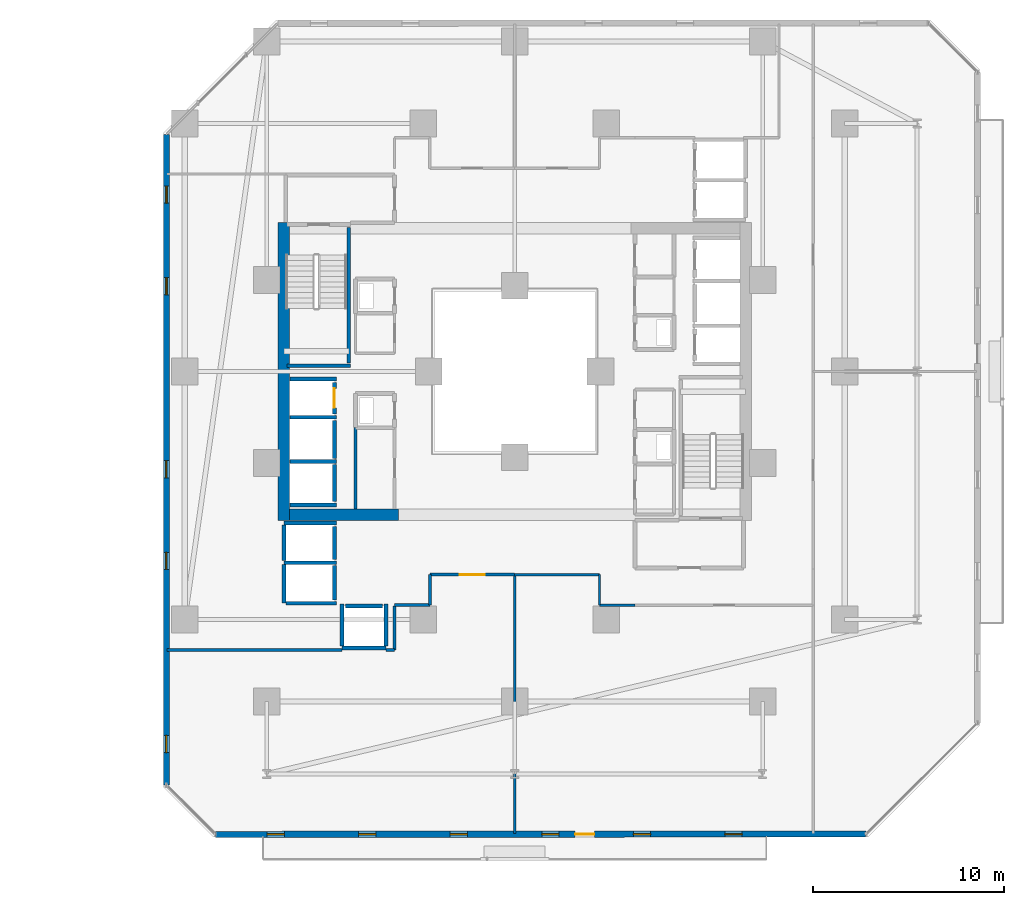
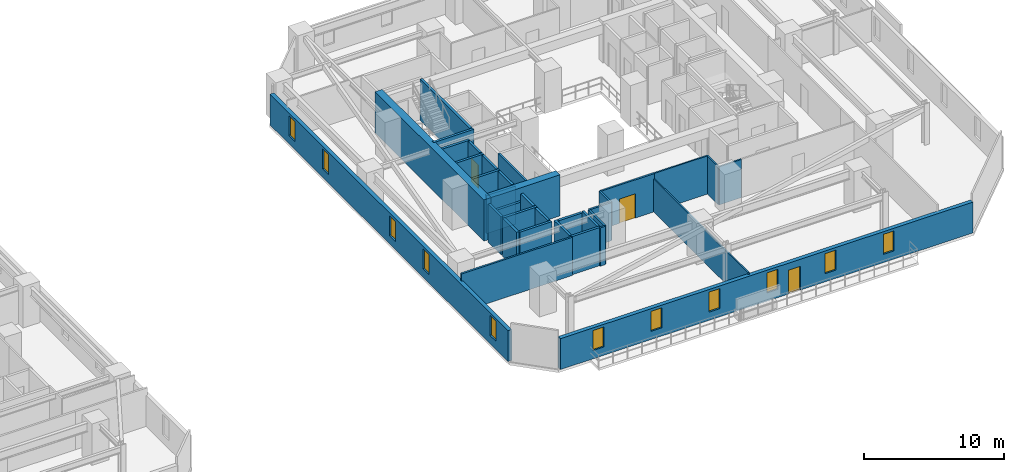
# One storey, part 22 of 33: 35 walls, 11 windows, 3 doors, 14 openings.
"""IFC4 building model written with IfcOpenShell, lengths in metres."""

from ifc_helpers import new_model, si_unit, direction, frame, frame_2d, origin, place, context, subcontext, project, spatial, rectangle, extrude, material, layer, layer_set, type_object, element, fill, save


model = new_model("IFC4")

# Units and contexts
model_context = context("Model", 3, precision=1e-05, world=origin(), true_north=direction((0.0, 1.0)))
body_context = subcontext(model_context, "Body", "Model", "MODEL_VIEW")
ifc_project = project(units=[si_unit("LENGTHUNIT", "METRE"), si_unit("AREAUNIT", "SQUARE_METRE"), si_unit("VOLUMEUNIT", "CUBIC_METRE"), si_unit("PLANEANGLEUNIT", "RADIAN"), si_unit("MASSUNIT", "GRAM", prefix="KILO")], contexts=[model_context])

# Site, building, storey
site_placement = place(None, origin())
site = spatial("IfcSite", under=ifc_project, at=site_placement, CompositionType="ELEMENT")
building_placement = place(site_placement, origin())
building = spatial("IfcBuilding", under=site, at=building_placement, Name="Thornwick Lancets Civic Towers", CompositionType="ELEMENT")
storey_placement = place(building_placement, frame((0.0, 0.0, 31.5)))
storey = spatial("IfcBuildingStorey", under=building, at=storey_placement, Name="L07", CompositionType="ELEMENT", Elevation=31.5)

# Wall, opening, door
ifc_material_1 = material(Name="Concrete blockwork C40/50", Category="masonry")
ifc_layer_1 = layer(ifc_material_1, 0.199951171875, Name="Concrete blockwork C40/50")
ifc_layer_set_1 = layer_set([ifc_layer_1], Name="Concrete blockwork C40/50")
wall_type_1 = type_object("IfcWallType", Name="WALL_COMP_200", PredefinedType="STANDARD", material=ifc_layer_set_1)
wall_1_placement = place(storey_placement, frame((79.050048828125, 24.780029296875, 0.0), z_axis=(0.0, 0.0, 1.0), x_axis=(0.0, 1.0, 0.0)))
wall_1 = element("IfcWall", 1, at=wall_1_placement, inside=storey, type_object=wall_type_1, Name="L07 Hoistway Front Wall FL-B2", PredefinedType="STANDARD", context=body_context, shape_type="SweptSolid", body=[
    extrude(rectangle(XDim=1.639892578125, YDim=0.199951171875, at=frame_2d((0.81982421875, 0.0))), origin(), (0.0, 0.0, 1.0), 3.340087890625),
])
opening_1_placement = place(wall_1_placement, frame((0.31005859375, 0.0, 0.0)))
opening_1 = element("IfcOpeningElement", 2, at=opening_1_placement, cuts=wall_1, Name="Opening LD-FL-B2", PredefinedType="OPENING", context=body_context, shape_type="SweptSolid", body=[
    extrude(rectangle(XDim=1.02001953125, YDim=2.06005859375, at=frame_2d((0.510009765625, 1.030029296875))), frame((0.0, 0.10986328125, 0.0), z_axis=(0.0, -1.0, 0.0), x_axis=(1.0, 0.0, 0.0)), (0.0, 0.0, 1.0), 0.219970703125),
])
ifc_material_2 = material(Name="Brushed bronze stainless steel", Category="steel")
door_type_1 = type_object("IfcDoorType", Name="DOOR_LIFT_SLIDE", OperationType="SLIDING_TO_LEFT", PredefinedType="DOOR", material=ifc_material_2)
door_1_placement = place(opening_1_placement, origin())
door_1 = element("IfcDoor", 3, at=door_1_placement, inside=storey, type_object=door_type_1, Name="L07 Sliding Lift Landing Door LD-FL-B2", OperationType="SLIDING_TO_LEFT", OverallHeight=2.06005859375, OverallWidth=1.02001953125, PredefinedType="DOOR", context=body_context, shape_type="SweptSolid", body=[
    extrude(rectangle(XDim=1.02001953125, YDim=2.06005859375, at=frame_2d((0.510009765625, 1.030029296875))), frame((0.0, 0.02490234375, 0.0), z_axis=(0.0, -1.0, 0.0), x_axis=(1.0, 0.0, 0.0)), (0.0, 0.0, 1.0), 0.050048828125),
])
fill(opening_1, door_1)

# Walls
wall_2_placement = place(storey_placement, frame((79.050048828125, 22.429931640625, 0.0), z_axis=(0.0, 0.0, 1.0), x_axis=(0.0, 1.0, 0.0)))
element("IfcWall", 4, at=wall_2_placement, inside=storey, type_object=wall_type_1, Name="L07 Hoistway Front Wall PL-BH2", PredefinedType="STANDARD", context=body_context, shape_type="SweptSolid", body=[
    extrude(rectangle(XDim=1.989990234375, YDim=0.199951171875, at=frame_2d((0.9951171875, 0.0))), origin(), (0.0, 0.0, 1.0), 3.340087890625),
])
wall_3_placement = place(storey_placement, frame((79.050048828125, 20.179931640625, 0.0), z_axis=(0.0, 0.0, 1.0), x_axis=(0.0, 1.0, 0.0)))
element("IfcWall", 5, at=wall_3_placement, inside=storey, type_object=wall_type_1, Name="L07 Hoistway Front Wall PL-BH3", PredefinedType="STANDARD", context=body_context, shape_type="SweptSolid", body=[
    extrude(rectangle(XDim=1.940185546875, YDim=0.199951171875, at=frame_2d((0.97021484375, 0.0))), origin(), (0.0, 0.0, 1.0), 3.340087890625),
])
wall_4_placement = place(storey_placement, frame((79.050048828125, 17.1298828125, 0.0), z_axis=(0.0, 0.0, 1.0), x_axis=(0.0, 1.0, 0.0)))
element("IfcWall", 6, at=wall_4_placement, inside=storey, type_object=wall_type_1, Name="L07 Hoistway Front Wall PL-BM1", PredefinedType="STANDARD", context=body_context, shape_type="SweptSolid", body=[
    extrude(rectangle(XDim=1.740234375, YDim=0.199951171875, at=frame_2d((0.8701171875, 0.0))), origin(), (0.0, 0.0, 1.0), 3.340087890625),
])
wall_5_placement = place(storey_placement, frame((79.050048828125, 15.030029296875, 0.0), z_axis=(0.0, 0.0, 1.0), x_axis=(0.0, 1.0, 0.0)))
element("IfcWall", 7, at=wall_5_placement, inside=storey, type_object=wall_type_1, Name="L07 Hoistway Front Wall PL-BM2", PredefinedType="STANDARD", context=body_context, shape_type="SweptSolid", body=[
    extrude(rectangle(XDim=1.7900390625, YDim=0.199951171875, at=frame_2d((0.89501953125, 0.0))), origin(), (0.0, 0.0, 1.0), 3.340087890625),
])
wall_6_placement = place(storey_placement, frame((79.6298828125, 14.699951171875, 0.0), z_axis=(0.0, 0.0, 1.0), x_axis=(1.0, 0.0, 0.0)))
element("IfcWall", 8, at=wall_6_placement, inside=storey, type_object=wall_type_1, Name="L07 Hoistway Front Wall PL-BM3", PredefinedType="STANDARD", context=body_context, shape_type="SweptSolid", body=[
    extrude(rectangle(XDim=1.940185546875, YDim=0.199951171875, at=frame_2d((0.97021484375, 0.0))), origin(), (0.0, 0.0, 1.0), 3.340087890625),
])
for number, where, z_axis, x_axis, name in (
    (9, (76.7119140625, 26.60009765625, 0.0), (0.0, 0.0, 1.0), (1.0, 0.0, 0.0), "L07 Hoistway Shaft Wall FL-B2 N"),
    (10, (76.7119140625, 24.60009765625, 0.0), (0.0, 0.0, 1.0), (1.0, 0.0, 0.0), "L07 Hoistway Shaft Wall FL-B2 S"),
    (11, (76.7119140625, 22.27490234375, 0.0), (0.0, 0.0, 1.0), (1.0, 0.0, 0.0), "L07 Hoistway Shaft Wall PL-BH2 S"),
    (12, (76.7119140625, 20.0, 0.0), (0.0, 0.0, 1.0), (1.0, 0.0, 0.0), "L07 Hoistway Shaft Wall PL-BH3 S"),
):
    element("IfcWall", number, at=place(storey_placement, frame(where, z_axis=z_axis, x_axis=x_axis)), inside=storey, type_object=wall_type_1, Name=name, PredefinedType="STANDARD", context=body_context, shape_type="SweptSolid", body=[
        extrude(rectangle(XDim=2.43603515625, YDim=0.199951171875, at=frame_2d((1.218017578125, 0.0))), origin(), (0.0, 0.0, 1.0), 3.340087890625),
    ])
wall_7_placement = place(storey_placement, frame((76.402099609375, 19.050048828125, 0.0), z_axis=(0.0, 0.0, 1.0), x_axis=(1.0, 0.0, 0.0)))
element("IfcWall", 13, at=wall_7_placement, inside=storey, type_object=wall_type_1, Name="L07 Hoistway Shaft Wall PL-BM1 N", PredefinedType="STANDARD", context=body_context, shape_type="SweptSolid", body=[
    extrude(rectangle(XDim=2.745849609375, YDim=0.199951171875, at=frame_2d((1.373046875, 0.0))), origin(), (0.0, 0.0, 1.0), 2.544921875),
])
wall_8_placement = place(storey_placement, frame((76.402099609375, 16.97509765625, 0.0), z_axis=(0.0, 0.0, 1.0), x_axis=(1.0, 0.0, 0.0)))
element("IfcWall", 14, at=wall_8_placement, inside=storey, type_object=wall_type_1, Name="L07 Hoistway Shaft Wall PL-BM1 S", PredefinedType="STANDARD", context=body_context, shape_type="SweptSolid", body=[
    extrude(rectangle(XDim=2.745849609375, YDim=0.199951171875, at=frame_2d((1.373046875, 0.0))), origin(), (0.0, 0.0, 1.0), 3.340087890625),
])
wall_9_placement = place(storey_placement, frame((76.39990234375, 14.85205078125, 0.0), z_axis=(0.0, 0.0, 1.0), x_axis=(0.0, 1.0, 0.0)))
element("IfcWall", 15, at=wall_9_placement, inside=storey, type_object=wall_type_1, Name="L07 Hoistway Shaft Wall PL-BM1 W", PredefinedType="STANDARD", context=body_context, shape_type="SweptSolid", body=[
    extrude(rectangle(XDim=2.015869140625, YDim=0.199951171875, at=frame_2d((1.0078125, 0.0))), origin(), (0.0, 0.0, 1.0), 3.340087890625),
])
wall_10_placement = place(storey_placement, frame((76.39990234375, 17.08203125, 0.0), z_axis=(0.0, 0.0, 1.0), x_axis=(0.0, 1.0, 0.0)))
element("IfcWall", 16, at=wall_10_placement, inside=storey, type_object=wall_type_1, Name="L07 Hoistway Shaft Wall PL-BM1 W", PredefinedType="STANDARD", context=body_context, shape_type="SweptSolid", body=[
    extrude(rectangle(XDim=1.85595703125, YDim=0.199951171875, at=frame_2d((0.927978515625, 0.0))), origin(), (0.0, 0.0, 1.0), 3.340087890625),
])
wall_11_placement = place(storey_placement, frame((76.511962890625, 14.85009765625, 0.0), z_axis=(0.0, 0.0, 1.0), x_axis=(1.0, 0.0, 0.0)))
element("IfcWall", 17, at=wall_11_placement, inside=storey, type_object=wall_type_1, Name="L07 Hoistway Shaft Wall PL-BM2 S", PredefinedType="STANDARD", context=body_context, shape_type="SweptSolid", body=[
    extrude(rectangle(XDim=2.635986328125, YDim=0.199951171875, at=frame_2d((1.31787109375, 0.0))), origin(), (0.0, 0.0, 1.0), 3.340087890625),
])
wall_12_placement = place(storey_placement, frame((79.451904296875, 12.5, 0.0), z_axis=(0.0, 0.0, 1.0), x_axis=(1.0, 0.0, 0.0)))
element("IfcWall", 18, at=wall_12_placement, inside=storey, type_object=wall_type_1, Name="L07 Hoistway Shaft Wall PL-BM3 S", PredefinedType="STANDARD", context=body_context, shape_type="SweptSolid", body=[
    extrude(rectangle(XDim=2.296142578125, YDim=0.199951171875, at=frame_2d((1.14794921875, 0.0))), origin(), (0.0, 0.0, 1.0), 3.340087890625),
])
for number, where, z_axis, x_axis, name in (
    (19, (81.75, 12.612060546875, 0.0), (0.0, 0.0, 1.0), (0.0, 1.0, 0.0), "L07 Hoistway Shaft Wall PL-BM3 E"),
    (20, (79.449951171875, 12.612060546875, 0.0), (0.0, 0.0, 1.0), (0.0, 1.0, 0.0), "L07 Hoistway Shaft Wall PL-BM3 W"),
):
    element("IfcWall", number, at=place(storey_placement, frame(where, z_axis=z_axis, x_axis=x_axis)), inside=storey, type_object=wall_type_1, Name=name, PredefinedType="STANDARD", context=body_context, shape_type="SweptSolid", body=[
        extrude(rectangle(XDim=2.18603515625, YDim=0.199951171875, at=frame_2d((1.093017578125, 0.0))), origin(), (0.0, 0.0, 1.0), 3.340087890625),
    ])
ifc_material_3 = material(Name="Concrete C60/75", Category="concrete")
ifc_layer_2 = layer(ifc_material_3, 0.60009765625, Name="Concrete C60/75")
ifc_layer_set_2 = layer_set([ifc_layer_2], Name="Concrete C60/75")
wall_type_2 = type_object("IfcWallType", Name="WALL_CORE_600", PredefinedType="SHEAR", material=ifc_layer_set_2)
wall_13_placement = place(storey_placement, frame((76.39990234375, 19.199951171875, 0.0), z_axis=(0.0, 0.0, 1.0), x_axis=(0.0, 1.0, 0.0)))
element("IfcWall", 21, at=wall_13_placement, inside=storey, type_object=wall_type_2, Name="L07 Split Core B2 Shear Wall W", PredefinedType="SHEAR", context=body_context, shape_type="SweptSolid", body=[
    extrude(rectangle(XDim=15.60009765625, YDim=0.60009765625, at=frame_2d((7.800048828125, 0.0))), origin(), (0.0, 0.0, 1.0), 3.60009765625),
])
wall_14_placement = place(storey_placement, frame((76.699951171875, 19.5, 0.0), z_axis=(0.0, 0.0, 1.0), x_axis=(1.0, 0.0, 0.0)))
element("IfcWall", 22, at=wall_14_placement, inside=storey, type_object=wall_type_2, Name="L07 Split Core B2 Shear Wall S", PredefinedType="SHEAR", context=body_context, shape_type="SweptSolid", body=[
    extrude(rectangle(XDim=5.699951171875, YDim=0.60009765625, at=frame_2d((2.85009765625, 0.0))), origin(), (0.0, 0.0, 1.0), 3.60009765625),
])

# Wall, openings, door, windows
ifc_material_4 = material(Name="Insulated buff terracotta rainscreen on concrete C40/50", Category="masonry")
ifc_layer_3 = layer(ifc_material_4, 0.320068359375, Name="Insulated buff terracotta rainscreen on concrete C40/50")
ifc_layer_set_3 = layer_set([ifc_layer_3], Name="Insulated buff terracotta rainscreen on concrete C40/50")
wall_type_3 = type_object("IfcWallType", Name="WALL_EXT_TERRA_320", PredefinedType="STANDARD", material=ifc_layer_set_3)
wall_15_placement = place(storey_placement, frame((72.81884765625, 2.735107421875, 0.0), z_axis=(0.0, 0.0, 1.0), x_axis=(0.999999952618, 0.000307837676, 0.0)))
wall_15 = element("IfcWall", 23, at=wall_15_placement, inside=storey, type_object=wall_type_3, Name="L07 Tower B Terracotta Facade Wall E0", PredefinedType="STANDARD", context=body_context, shape_type="SweptSolid", body=[
    extrude(rectangle(XDim=34.1025390625, YDim=0.320068359375, at=frame_2d((17.05126953125, 0.0))), origin(), (0.0, 0.0, 1.0), 2.699951171875),
])
opening_2_placement = place(wall_15_placement, frame((18.851318359375, 0.0, 0.0)))
opening_2 = element("IfcOpeningElement", 24, at=opening_2_placement, cuts=wall_15, Name="Opening D-BL-L07-BS", PredefinedType="OPENING", context=body_context, shape_type="SweptSolid", body=[
    extrude(rectangle(XDim=1.0, YDim=2.080078125, at=frame_2d((0.5, 1.0400390625))), frame((0.0, 0.169921875, 0.0), z_axis=(0.0, -1.0, 0.0), x_axis=(1.0, 0.0, 0.0)), (0.0, 0.0, 1.0), 0.340087890625),
])
opening_3_placement = place(wall_15_placement, frame((2.699951171875, 0.0, 0.719970703125)))
opening_3 = element("IfcOpeningElement", 25, at=opening_3_placement, cuts=wall_15, Name="Opening WL-01", PredefinedType="OPENING", context=body_context, shape_type="SweptSolid", body=[
    extrude(rectangle(XDim=0.89990234375, YDim=1.75, at=frame_2d((0.449951171875, 0.875))), frame((0.0, 0.169921875, 0.0), z_axis=(0.0, -1.0, 0.0), x_axis=(1.0, 0.0, 0.0)), (0.0, 0.0, 1.0), 0.340087890625),
])
opening_4_placement = place(wall_15_placement, frame((7.5, 0.0, 0.719970703125)))
opening_4 = element("IfcOpeningElement", 26, at=opening_4_placement, cuts=wall_15, Name="Opening WL-01", PredefinedType="OPENING", context=body_context, shape_type="SweptSolid", body=[
    extrude(rectangle(XDim=0.89990234375, YDim=1.75, at=frame_2d((0.449951171875, 0.875))), frame((0.0, 0.169921875, 0.0), z_axis=(0.0, -1.0, 0.0), x_axis=(1.0, 0.0, 0.0)), (0.0, 0.0, 1.0), 0.340087890625),
])
opening_5_placement = place(wall_15_placement, frame((12.300048828125, 0.0, 0.719970703125)))
opening_5 = element("IfcOpeningElement", 27, at=opening_5_placement, cuts=wall_15, Name="Opening WL-01", PredefinedType="OPENING", context=body_context, shape_type="SweptSolid", body=[
    extrude(rectangle(XDim=0.89990234375, YDim=1.75, at=frame_2d((0.449951171875, 0.875))), frame((0.0, 0.169921875, 0.0), z_axis=(0.0, -1.0, 0.0), x_axis=(1.0, 0.0, 0.0)), (0.0, 0.0, 1.0), 0.340087890625),
])
opening_6_placement = place(wall_15_placement, frame((17.10009765625, 0.0, 0.719970703125)))
opening_6 = element("IfcOpeningElement", 28, at=opening_6_placement, cuts=wall_15, Name="Opening WL-01", PredefinedType="OPENING", context=body_context, shape_type="SweptSolid", body=[
    extrude(rectangle(XDim=0.89990234375, YDim=1.75, at=frame_2d((0.449951171875, 0.875))), frame((0.0, 0.169921875, 0.0), z_axis=(0.0, -1.0, 0.0), x_axis=(1.0, 0.0, 0.0)), (0.0, 0.0, 1.0), 0.340087890625),
])
opening_7_placement = place(wall_15_placement, frame((21.89990234375, 0.0, 0.719970703125)))
opening_7 = element("IfcOpeningElement", 29, at=opening_7_placement, cuts=wall_15, Name="Opening WL-01", PredefinedType="OPENING", context=body_context, shape_type="SweptSolid", body=[
    extrude(rectangle(XDim=0.89990234375, YDim=1.75, at=frame_2d((0.449951171875, 0.875))), frame((0.0, 0.169921875, 0.0), z_axis=(0.0, -1.0, 0.0), x_axis=(1.0, 0.0, 0.0)), (0.0, 0.0, 1.0), 0.340087890625),
])
opening_8_placement = place(wall_15_placement, frame((26.699951171875, 0.0, 0.719970703125)))
opening_8 = element("IfcOpeningElement", 30, at=opening_8_placement, cuts=wall_15, Name="Opening WL-01", PredefinedType="OPENING", context=body_context, shape_type="SweptSolid", body=[
    extrude(rectangle(XDim=0.89990234375, YDim=1.75, at=frame_2d((0.449951171875, 0.875))), frame((0.0, 0.169921875, 0.0), z_axis=(0.0, -1.0, 0.0), x_axis=(1.0, 0.0, 0.0)), (0.0, 0.0, 1.0), 0.340087890625),
])
ifc_material_5 = material(Name="Thermally broken glazed loggia doorset")
door_type_2 = type_object("IfcDoorType", Name="DOOR_BALC_1000", OperationType="NOTDEFINED", PredefinedType="DOOR", material=ifc_material_5)
door_2_placement = place(opening_2_placement, origin())
door_2 = element("IfcDoor", 31, at=door_2_placement, inside=storey, type_object=door_type_2, Name="L07 Tower B Loggia Balcony Door S", OperationType="SINGLE_SWING_RIGHT", OverallHeight=2.080078125, OverallWidth=1.0, PredefinedType="DOOR", context=body_context, shape_type="SweptSolid", body=[
    extrude(rectangle(XDim=1.0, YDim=2.080078125, at=frame_2d((0.5, 1.0400390625))), frame((0.0, 0.02490234375, 0.0), z_axis=(0.0, -1.0, 0.0), x_axis=(1.0, 0.0, 0.0)), (0.0, 0.0, 1.0), 0.050048828125),
])
fill(opening_2, door_2)
ifc_material_6 = material(Name="Clear low-e double glazing in bronze frame", Category="glass")
window_type = type_object("IfcWindowType", Name="WIN_LANCET_900", PartitioningType="SINGLE_PANEL", PredefinedType="WINDOW", material=ifc_material_6)
window_1_placement = place(opening_3_placement, origin())
window_1 = element("IfcWindow", 32, at=window_1_placement, inside=storey, type_object=window_type, Name="L07 Tower B Staggered Lancet Window E0-1", OverallHeight=1.75, OverallWidth=0.89990234375, PartitioningType="SINGLE_PANEL", PredefinedType="WINDOW", context=body_context, shape_type="SweptSolid", body=[
    extrude(rectangle(XDim=0.89990234375, YDim=1.75, at=frame_2d((0.449951171875, 0.875))), frame((0.0, 0.030029296875, 0.0), z_axis=(0.0, -1.0, 0.0), x_axis=(1.0, 0.0, 0.0)), (0.0, 0.0, 1.0), 0.06005859375),
])
fill(opening_3, window_1)
window_2_placement = place(opening_4_placement, origin())
window_2 = element("IfcWindow", 33, at=window_2_placement, inside=storey, type_object=window_type, Name="L07 Tower B Staggered Lancet Window E0-2", OverallHeight=1.75, OverallWidth=0.89990234375, PartitioningType="SINGLE_PANEL", PredefinedType="WINDOW", context=body_context, shape_type="SweptSolid", body=[
    extrude(rectangle(XDim=0.89990234375, YDim=1.75, at=frame_2d((0.449951171875, 0.875))), frame((0.0, 0.030029296875, 0.0), z_axis=(0.0, -1.0, 0.0), x_axis=(1.0, 0.0, 0.0)), (0.0, 0.0, 1.0), 0.06005859375),
])
fill(opening_4, window_2)
window_3_placement = place(opening_5_placement, origin())
window_3 = element("IfcWindow", 34, at=window_3_placement, inside=storey, type_object=window_type, Name="L07 Tower B Staggered Lancet Window E0-3", OverallHeight=1.75, OverallWidth=0.89990234375, PartitioningType="SINGLE_PANEL", PredefinedType="WINDOW", context=body_context, shape_type="SweptSolid", body=[
    extrude(rectangle(XDim=0.89990234375, YDim=1.75, at=frame_2d((0.449951171875, 0.875))), frame((0.0, 0.030029296875, 0.0), z_axis=(0.0, -1.0, 0.0), x_axis=(1.0, 0.0, 0.0)), (0.0, 0.0, 1.0), 0.06005859375),
])
fill(opening_5, window_3)
window_4_placement = place(opening_6_placement, origin())
window_4 = element("IfcWindow", 35, at=window_4_placement, inside=storey, type_object=window_type, Name="L07 Tower B Staggered Lancet Window E0-4", OverallHeight=1.75, OverallWidth=0.89990234375, PartitioningType="SINGLE_PANEL", PredefinedType="WINDOW", context=body_context, shape_type="SweptSolid", body=[
    extrude(rectangle(XDim=0.89990234375, YDim=1.75, at=frame_2d((0.449951171875, 0.875))), frame((0.0, 0.030029296875, 0.0), z_axis=(0.0, -1.0, 0.0), x_axis=(1.0, 0.0, 0.0)), (0.0, 0.0, 1.0), 0.06005859375),
])
fill(opening_6, window_4)
window_5_placement = place(opening_7_placement, origin())
window_5 = element("IfcWindow", 36, at=window_5_placement, inside=storey, type_object=window_type, Name="L07 Tower B Staggered Lancet Window E0-5", OverallHeight=1.75, OverallWidth=0.89990234375, PartitioningType="SINGLE_PANEL", PredefinedType="WINDOW", context=body_context, shape_type="SweptSolid", body=[
    extrude(rectangle(XDim=0.89990234375, YDim=1.75, at=frame_2d((0.449951171875, 0.875))), frame((0.0, 0.030029296875, 0.0), z_axis=(0.0, -1.0, 0.0), x_axis=(1.0, 0.0, 0.0)), (0.0, 0.0, 1.0), 0.06005859375),
])
fill(opening_7, window_5)
window_6_placement = place(opening_8_placement, origin())
window_6 = element("IfcWindow", 37, at=window_6_placement, inside=storey, type_object=window_type, Name="L07 Tower B Staggered Lancet Window E0-6", OverallHeight=1.75, OverallWidth=0.89990234375, PartitioningType="SINGLE_PANEL", PredefinedType="WINDOW", context=body_context, shape_type="SweptSolid", body=[
    extrude(rectangle(XDim=0.89990234375, YDim=1.75, at=frame_2d((0.449951171875, 0.875))), frame((0.0, 0.030029296875, 0.0), z_axis=(0.0, -1.0, 0.0), x_axis=(1.0, 0.0, 0.0)), (0.0, 0.0, 1.0), 0.06005859375),
])
fill(opening_8, window_6)

# Wall, openings, windows
wall_16_placement = place(storey_placement, frame((70.24560546875, 39.42138671875, 0.0), z_axis=(0.0, 0.0, 1.0), x_axis=(-0.000307837676, -0.999999952618, 0.0)))
wall_16 = element("IfcWall", 38, at=wall_16_placement, inside=storey, type_object=wall_type_3, Name="L07 Tower B Terracotta Facade Wall E6", PredefinedType="STANDARD", context=body_context, shape_type="SweptSolid", body=[
    extrude(rectangle(XDim=34.1025390625, YDim=0.320068359375, at=frame_2d((17.05126953125, 0.0))), origin(), (0.0, 0.0, 1.0), 2.699951171875),
])
opening_9_placement = place(wall_16_placement, frame((2.699951171875, 0.0, 0.719970703125)))
opening_9 = element("IfcOpeningElement", 39, at=opening_9_placement, cuts=wall_16, Name="Opening WL-01", PredefinedType="OPENING", context=body_context, shape_type="SweptSolid", body=[
    extrude(rectangle(XDim=0.89990234375, YDim=1.75, at=frame_2d((0.449951171875, 0.875))), frame((0.0, 0.169921875, 0.0), z_axis=(0.0, -1.0, 0.0), x_axis=(1.0, 0.0, 0.0)), (0.0, 0.0, 1.0), 0.340087890625),
])
opening_10_placement = place(wall_16_placement, frame((7.5, 0.0, 0.719970703125)))
opening_10 = element("IfcOpeningElement", 40, at=opening_10_placement, cuts=wall_16, Name="Opening WL-01", PredefinedType="OPENING", context=body_context, shape_type="SweptSolid", body=[
    extrude(rectangle(XDim=0.89990234375, YDim=1.75, at=frame_2d((0.449951171875, 0.875))), frame((0.0, 0.169921875, 0.0), z_axis=(0.0, -1.0, 0.0), x_axis=(1.0, 0.0, 0.0)), (0.0, 0.0, 1.0), 0.340087890625),
])
opening_11_placement = place(wall_16_placement, frame((17.10009765625, 0.0, 0.719970703125)))
opening_11 = element("IfcOpeningElement", 41, at=opening_11_placement, cuts=wall_16, Name="Opening WL-01", PredefinedType="OPENING", context=body_context, shape_type="SweptSolid", body=[
    extrude(rectangle(XDim=0.89990234375, YDim=1.75, at=frame_2d((0.449951171875, 0.875))), frame((0.0, 0.169921875, 0.0), z_axis=(0.0, -1.0, 0.0), x_axis=(1.0, 0.0, 0.0)), (0.0, 0.0, 1.0), 0.340087890625),
])
opening_12_placement = place(wall_16_placement, frame((21.89990234375, 0.0, 0.719970703125)))
opening_12 = element("IfcOpeningElement", 42, at=opening_12_placement, cuts=wall_16, Name="Opening WL-01", PredefinedType="OPENING", context=body_context, shape_type="SweptSolid", body=[
    extrude(rectangle(XDim=0.89990234375, YDim=1.75, at=frame_2d((0.449951171875, 0.875))), frame((0.0, 0.169921875, 0.0), z_axis=(0.0, -1.0, 0.0), x_axis=(1.0, 0.0, 0.0)), (0.0, 0.0, 1.0), 0.340087890625),
])
opening_13_placement = place(wall_16_placement, frame((31.5, 0.0, 0.719970703125)))
opening_13 = element("IfcOpeningElement", 43, at=opening_13_placement, cuts=wall_16, Name="Opening WL-01", PredefinedType="OPENING", context=body_context, shape_type="SweptSolid", body=[
    extrude(rectangle(XDim=0.89990234375, YDim=1.75, at=frame_2d((0.449951171875, 0.875))), frame((0.0, 0.169921875, 0.0), z_axis=(0.0, -1.0, 0.0), x_axis=(1.0, 0.0, 0.0)), (0.0, 0.0, 1.0), 0.340087890625),
])
window_7_placement = place(opening_9_placement, origin())
window_7 = element("IfcWindow", 44, at=window_7_placement, inside=storey, type_object=window_type, Name="L07 Tower B Staggered Lancet Window E6-1", OverallHeight=1.75, OverallWidth=0.89990234375, PartitioningType="SINGLE_PANEL", PredefinedType="WINDOW", context=body_context, shape_type="SweptSolid", body=[
    extrude(rectangle(XDim=0.89990234375, YDim=1.75, at=frame_2d((0.449951171875, 0.875))), frame((0.0, 0.030029296875, 0.0), z_axis=(0.0, -1.0, 0.0), x_axis=(1.0, 0.0, 0.0)), (0.0, 0.0, 1.0), 0.06005859375),
])
fill(opening_9, window_7)
window_8_placement = place(opening_10_placement, origin())
window_8 = element("IfcWindow", 45, at=window_8_placement, inside=storey, type_object=window_type, Name="L07 Tower B Staggered Lancet Window E6-2", OverallHeight=1.75, OverallWidth=0.89990234375, PartitioningType="SINGLE_PANEL", PredefinedType="WINDOW", context=body_context, shape_type="SweptSolid", body=[
    extrude(rectangle(XDim=0.89990234375, YDim=1.75, at=frame_2d((0.449951171875, 0.875))), frame((0.0, 0.030029296875, 0.0), z_axis=(0.0, -1.0, 0.0), x_axis=(1.0, 0.0, 0.0)), (0.0, 0.0, 1.0), 0.06005859375),
])
fill(opening_10, window_8)
window_9_placement = place(opening_11_placement, origin())
window_9 = element("IfcWindow", 46, at=window_9_placement, inside=storey, type_object=window_type, Name="L07 Tower B Staggered Lancet Window E6-3", OverallHeight=1.75, OverallWidth=0.89990234375, PartitioningType="SINGLE_PANEL", PredefinedType="WINDOW", context=body_context, shape_type="SweptSolid", body=[
    extrude(rectangle(XDim=0.89990234375, YDim=1.75, at=frame_2d((0.449951171875, 0.875))), frame((0.0, 0.030029296875, 0.0), z_axis=(0.0, -1.0, 0.0), x_axis=(1.0, 0.0, 0.0)), (0.0, 0.0, 1.0), 0.06005859375),
])
fill(opening_11, window_9)
window_10_placement = place(opening_12_placement, origin())
window_10 = element("IfcWindow", 47, at=window_10_placement, inside=storey, type_object=window_type, Name="L07 Tower B Staggered Lancet Window E6-4", OverallHeight=1.75, OverallWidth=0.89990234375, PartitioningType="SINGLE_PANEL", PredefinedType="WINDOW", context=body_context, shape_type="SweptSolid", body=[
    extrude(rectangle(XDim=0.89990234375, YDim=1.75, at=frame_2d((0.449951171875, 0.875))), frame((0.0, 0.030029296875, 0.0), z_axis=(0.0, -1.0, 0.0), x_axis=(1.0, 0.0, 0.0)), (0.0, 0.0, 1.0), 0.06005859375),
])
fill(opening_12, window_10)
window_11_placement = place(opening_13_placement, origin())
window_11 = element("IfcWindow", 48, at=window_11_placement, inside=storey, type_object=window_type, Name="L07 Tower B Staggered Lancet Window E6-5", OverallHeight=1.75, OverallWidth=0.89990234375, PartitioningType="SINGLE_PANEL", PredefinedType="WINDOW", context=body_context, shape_type="SweptSolid", body=[
    extrude(rectangle(XDim=0.89990234375, YDim=1.75, at=frame_2d((0.449951171875, 0.875))), frame((0.0, 0.030029296875, 0.0), z_axis=(0.0, -1.0, 0.0), x_axis=(1.0, 0.0, 0.0)), (0.0, 0.0, 1.0), 0.06005859375),
])
fill(opening_13, window_11)

# Walls
ifc_material_7 = material(Name="Acoustic gypsum board partition")
ifc_layer_4 = layer(ifc_material_7, 0.1201171875, Name="Acoustic gypsum board partition")
ifc_layer_set_4 = layer_set([ifc_layer_4], Name="Acoustic gypsum board partition")
wall_type_4 = type_object("IfcWallType", Name="WALL_PART_120", PredefinedType="PARTITIONING", material=ifc_layer_set_4)
wall_17_placement = place(storey_placement, frame((92.949951171875, 16.35009765625, 0.0), z_axis=(0.0, 0.0, 1.0), x_axis=(0.0, -1.0, 0.0)))
element("IfcWall", 49, at=wall_17_placement, inside=storey, type_object=wall_type_4, Name="L07 Partition L07-B-W1 E1", PredefinedType="PARTITIONING", context=body_context, shape_type="SweptSolid", body=[
    extrude(rectangle(XDim=1.60009765625, YDim=0.1201171875, at=frame_2d((0.800048828125, 0.0))), origin(), (0.0, 0.0, 1.0), 3.340087890625),
])
wall_18_placement = place(storey_placement, frame((92.949951171875, 14.75, 0.0), z_axis=(0.0, 0.0, 1.0), x_axis=(1.0, 0.0, 0.0)))
element("IfcWall", 50, at=wall_18_placement, inside=storey, type_object=wall_type_4, Name="L07 Partition L07-B-W1 E2", PredefinedType="PARTITIONING", context=body_context, shape_type="SweptSolid", body=[
    extrude(rectangle(XDim=1.85009765625, YDim=0.1201171875, at=frame_2d((0.925048828125, 0.0))), origin(), (0.0, 0.0, 1.0), 3.340087890625),
])
wall_19_placement = place(storey_placement, frame((88.5, 2.780029296875, 0.0), z_axis=(0.0, 0.0, 1.0), x_axis=(0.0, 1.0, 0.0)))
element("IfcWall", 51, at=wall_19_placement, inside=storey, type_object=wall_type_4, Name="L07 Partition L07-B-W1 E6", PredefinedType="PARTITIONING", context=body_context, shape_type="SweptSolid", body=[
    extrude(rectangle(XDim=13.570068359375, YDim=0.1201171875, at=frame_2d((6.78515625, 0.0))), origin(), (0.0, 0.0, 1.0), 2.877685546875),
])
wall_20_placement = place(storey_placement, frame((88.5, 16.35009765625, 0.0), z_axis=(0.0, 0.0, 1.0), x_axis=(1.0, 0.0, 0.0)))
element("IfcWall", 52, at=wall_20_placement, inside=storey, type_object=wall_type_4, Name="L07 Partition L07-B-W1 E7", PredefinedType="PARTITIONING", context=body_context, shape_type="SweptSolid", body=[
    extrude(rectangle(XDim=4.449951171875, YDim=0.1201171875, at=frame_2d((2.22509765625, 0.0))), origin(), (0.0, 0.0, 1.0), 3.340087890625),
])
ifc_material_8 = material(Name="Twin-stud acoustic gypsum board")
ifc_layer_5 = layer(ifc_material_8, 0.14990234375, Name="Twin-stud acoustic gypsum board")
ifc_layer_set_5 = layer_set([ifc_layer_5], Name="Twin-stud acoustic gypsum board")
wall_type_5 = type_object("IfcWallType", Name="WALL_PART_150", PredefinedType="PARTITIONING", material=ifc_layer_set_5)
wall_21_placement = place(storey_placement, frame((80.14990234375, 19.800048828125, 0.0), z_axis=(0.0, 0.0, 1.0), x_axis=(0.0, 1.0, 0.0)))
element("IfcWall", 53, at=wall_21_placement, inside=storey, type_object=wall_type_5, Name="L07 Partition L07-B-FWC E2", PredefinedType="PARTITIONING", context=body_context, shape_type="SweptSolid", body=[
    extrude(rectangle(XDim=4.25, YDim=0.14990234375, at=frame_2d((2.125, 0.0))), origin(), (0.0, 0.0, 1.0), 3.340087890625),
])
wall_22_placement = place(storey_placement, frame((82.199951171875, 14.75, 0.0), z_axis=(0.0, 0.0, 1.0), x_axis=(1.0, 0.0, 0.0)))
element("IfcWall", 54, at=wall_22_placement, inside=storey, type_object=wall_type_5, Name="L07 Partition L07-B-W2 E2", PredefinedType="PARTITIONING", context=body_context, shape_type="SweptSolid", body=[
    extrude(rectangle(XDim=1.85009765625, YDim=0.14990234375, at=frame_2d((0.925048828125, 0.0))), origin(), (0.0, 0.0, 1.0), 3.340087890625),
])
wall_23_placement = place(storey_placement, frame((84.050048828125, 14.75, 0.0), z_axis=(0.0, 0.0, 1.0), x_axis=(0.0, 1.0, 0.0)))
element("IfcWall", 55, at=wall_23_placement, inside=storey, type_object=wall_type_5, Name="L07 Partition L07-B-W2 E3", PredefinedType="PARTITIONING", context=body_context, shape_type="SweptSolid", body=[
    extrude(rectangle(XDim=1.60009765625, YDim=0.14990234375, at=frame_2d((0.800048828125, 0.0))), origin(), (0.0, 0.0, 1.0), 3.340087890625),
])

# Wall, opening, door
wall_24_placement = place(storey_placement, frame((84.050048828125, 16.35009765625, 0.0), z_axis=(0.0, 0.0, 1.0), x_axis=(1.0, 0.0, 0.0)))
wall_24 = element("IfcWall", 56, at=wall_24_placement, inside=storey, type_object=wall_type_5, Name="L07 Partition L07-B-W2 E4", PredefinedType="PARTITIONING", context=body_context, shape_type="SweptSolid", body=[
    extrude(rectangle(XDim=4.449951171875, YDim=0.14990234375, at=frame_2d((2.22509765625, 0.0))), origin(), (0.0, 0.0, 1.0), 3.340087890625),
])
opening_14_placement = place(wall_24_placement, frame((1.574951171875, 0.0, 0.0)))
opening_14 = element("IfcOpeningElement", 57, at=opening_14_placement, cuts=wall_24, Name="Opening D-L07-0392", PredefinedType="OPENING", context=body_context, shape_type="SweptSolid", body=[
    extrude(rectangle(XDim=1.300048828125, YDim=2.1201171875, at=frame_2d((0.64990234375, 1.06005859375))), frame((0.0, 0.0849609375, 0.0), z_axis=(0.0, -1.0, 0.0), x_axis=(1.0, 0.0, 0.0)), (0.0, 0.0, 1.0), 0.169921875),
])
ifc_material_9 = material(Name="Acoustic oak leaf-and-a-half doorset")
door_type_3 = type_object("IfcDoorType", Name="DOOR_MEET_1300", OperationType="DOUBLE_DOOR_SINGLE_SWING", PredefinedType="DOOR", material=ifc_material_9)
door_3_placement = place(opening_14_placement, origin())
door_3 = element("IfcDoor", 58, at=door_3_placement, inside=storey, type_object=door_type_3, Name="L07 Tower B Policy Briefing Room W2 Door", OperationType="DOUBLE_DOOR_SINGLE_SWING", OverallHeight=2.1201171875, OverallWidth=1.300048828125, PredefinedType="DOOR", context=body_context, shape_type="SweptSolid", body=[
    extrude(rectangle(XDim=1.300048828125, YDim=2.1201171875, at=frame_2d((0.64990234375, 1.06005859375))), frame((0.0, 0.02490234375, 0.0), z_axis=(0.0, -1.0, 0.0), x_axis=(1.0, 0.0, 0.0)), (0.0, 0.0, 1.0), 0.050048828125),
])
fill(opening_14, door_3)

# Walls
wall_25_placement = place(storey_placement, frame((70.280029296875, 12.39990234375, 0.0), z_axis=(0.0, 0.0, 1.0), x_axis=(1.0, 0.0, 0.0)))
element("IfcWall", 59, at=wall_25_placement, inside=storey, type_object=wall_type_5, Name="L07 Partition L07-B-W2 E9", PredefinedType="PARTITIONING", context=body_context, shape_type="SweptSolid", body=[
    extrude(rectangle(XDim=9.171875, YDim=0.14990234375, at=frame_2d((4.5859375, 0.0))), origin(), (0.0, 0.0, 1.0), 3.340087890625),
])
wall_26_placement = place(storey_placement, frame((81.748046875, 12.39990234375, 0.0), z_axis=(0.0, 0.0, 1.0), x_axis=(1.0, 0.0, 0.0)))
element("IfcWall", 60, at=wall_26_placement, inside=storey, type_object=wall_type_5, Name="L07 Partition L07-B-W2 E9", PredefinedType="PARTITIONING", context=body_context, shape_type="SweptSolid", body=[
    extrude(rectangle(XDim=0.451904296875, YDim=0.14990234375, at=frame_2d((0.22607421875, 0.0))), origin(), (0.0, 0.0, 1.0), 3.340087890625),
])
wall_27_placement = place(storey_placement, frame((82.199951171875, 12.39990234375, 0.0), z_axis=(0.0, 0.0, 1.0), x_axis=(0.0, 1.0, 0.0)))
element("IfcWall", 61, at=wall_27_placement, inside=storey, type_object=wall_type_5, Name="L07 Partition L07-B-W2 E10", PredefinedType="PARTITIONING", context=body_context, shape_type="SweptSolid", body=[
    extrude(rectangle(XDim=2.300048828125, YDim=0.14990234375, at=frame_2d((1.14990234375, 0.0))), origin(), (0.0, 0.0, 1.0), 3.340087890625),
])
ifc_material_10 = material(Name="Concrete C40/50", Category="concrete")
ifc_layer_6 = layer(ifc_material_10, 0.199951171875, Name="Concrete C40/50")
ifc_layer_set_6 = layer_set([ifc_layer_6], Name="Concrete C40/50")
wall_type_6 = type_object("IfcWallType", Name="WALL_SHAFT_200", PredefinedType="SHEAR", material=ifc_layer_set_6)
wall_28_placement = place(storey_placement, frame((79.89990234375, 27.300048828125, 0.0), z_axis=(0.0, 0.0, 1.0), x_axis=(-1.0, 0.0, 0.0)))
element("IfcWall", 62, at=wall_28_placement, inside=storey, type_object=wall_type_6, Name="L07 ST-B2 Fire Stair Core Wall FAR", PredefinedType="SHEAR", context=body_context, shape_type="SweptSolid", body=[
    extrude(rectangle(XDim=3.349853515625, YDim=0.199951171875, at=frame_2d((1.6748046875, 0.0))), origin(), (0.0, 0.0, 1.0), 3.60009765625),
])
wall_29_placement = place(storey_placement, frame((79.797119140625, 27.449951171875, 0.0), z_axis=(0.0, 0.0, 1.0), x_axis=(0.0, 1.0, 0.0)))
element("IfcWall", 63, at=wall_29_placement, inside=storey, type_object=wall_type_6, Name="L07 ST-B2 Fire Stair Core Wall RIGHT", PredefinedType="SHEAR", context=body_context, shape_type="SweptSolid", body=[
    extrude(rectangle(XDim=7.10009765625, YDim=0.199951171875, at=frame_2d((3.550048828125, 0.0))), origin(), (0.0, 0.0, 1.0), 3.60009765625),
])

save(model, "model.ifc")
